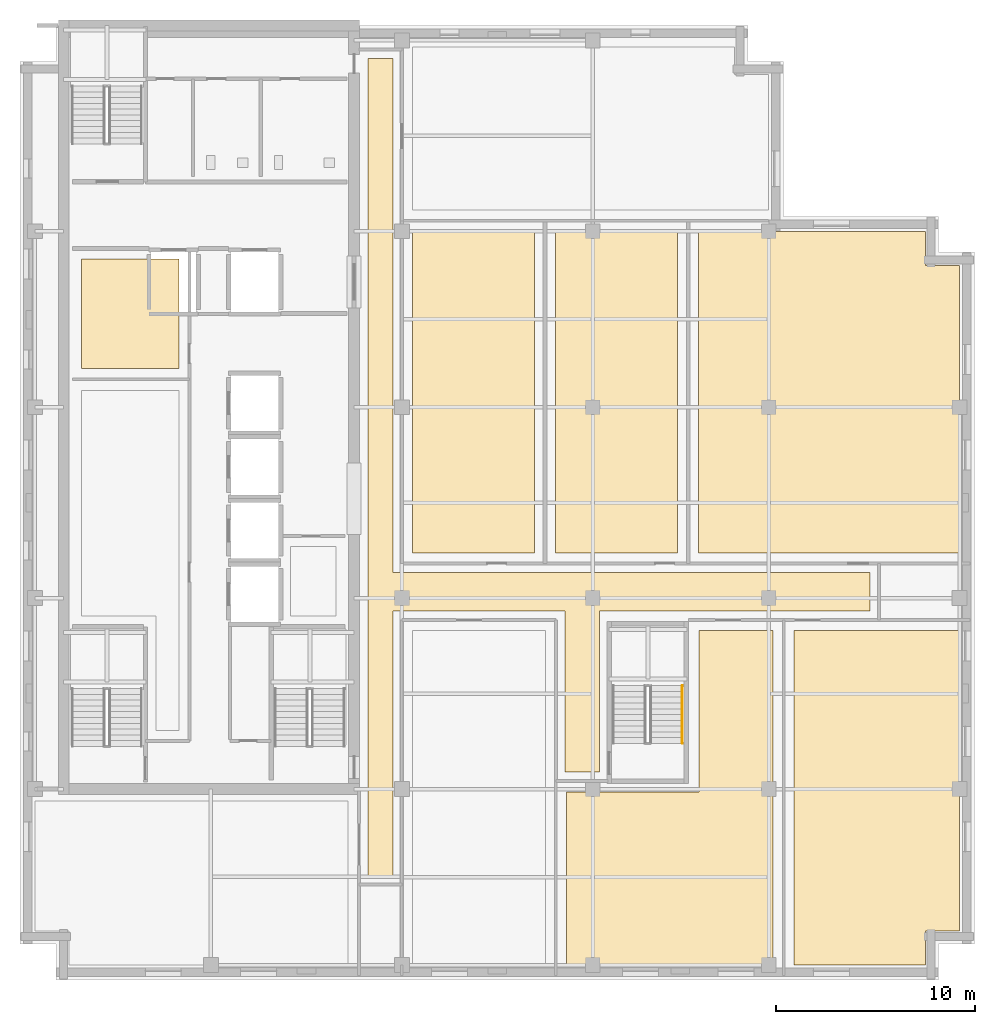
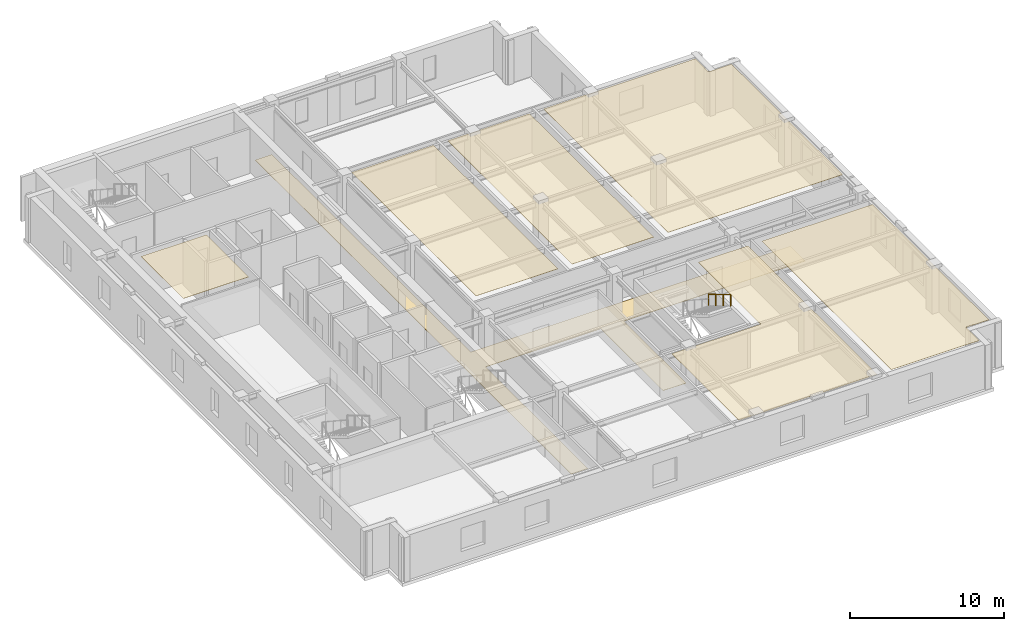
# One storey, part 8 of 10: 7 coverings, 1 railing.
"""IFC4 building model written with IfcOpenShell, lengths in metres."""

from ifc_helpers import new_model, si_unit, direction, frame, origin, origin_2d, place, context, subcontext, project, spatial, polyline, circle, outline, extrude, material, layer, layer_set, type_object, element, save


model = new_model("IFC4")

# Units and contexts
model_context = context("Model", 3, precision=1e-05, world=origin(), true_north=direction((0.0, 1.0)))
body_context = subcontext(model_context, "Body", "Model", "MODEL_VIEW")
ifc_project = project(units=[si_unit("LENGTHUNIT", "METRE"), si_unit("AREAUNIT", "SQUARE_METRE"), si_unit("VOLUMEUNIT", "CUBIC_METRE"), si_unit("PLANEANGLEUNIT", "RADIAN"), si_unit("MASSUNIT", "GRAM", prefix="KILO")], contexts=[model_context])

# Site, building, storey
site_placement = place(None, origin())
site = spatial("IfcSite", under=ifc_project, at=site_placement, CompositionType="ELEMENT")
building_placement = place(site_placement, origin())
building = spatial("IfcBuilding", under=site, at=building_placement, Name="Norrvale University Quadrangle", CompositionType="ELEMENT")
storey_placement = place(building_placement, frame((0.0, 0.0, 265.800048828125)))
storey = spatial("IfcBuildingStorey", under=building, at=storey_placement, Name="L67", CompositionType="ELEMENT", Elevation=265.800048828125)

# Coverings
ifc_material_1 = material(Name="Perforated Acoustic Mineral Ceiling")
ifc_layer_1 = layer(ifc_material_1, 0.02490234375, Name="Perforated Acoustic Mineral Ceiling")
ifc_layer_set_1 = layer_set([ifc_layer_1], Name="Perforated Acoustic Mineral Ceiling")
covering_type_1 = type_object("IfcCoveringType", Name="Covering Acoustic Ceiling 25", PredefinedType="CEILING", material=ifc_layer_set_1)
covering_1_placement = place(storey_placement, frame((0.0, 0.0, 3.514892578125)))
element("IfcCovering", 1, at=covering_1_placement, inside=storey, type_object=covering_type_1, Name="Acoustic Ceiling RM-L67-REC2", PredefinedType="CEILING", context=body_context, shape_type="SweptSolid", body=[
    extrude(outline(polyline([(3.10009765625, 30.75), (3.10009765625, 36.25), (8.0, 36.25), (8.0, 30.75), (3.10009765625, 30.75)])), origin(), (0.0, 0.0, 1.0), 0.025146484375),
])
covering_2_placement = place(storey_placement, frame((0.0, 0.0, 3.514892578125)))
element("IfcCovering", 2, at=covering_2_placement, inside=storey, type_object=covering_type_1, Name="Acoustic Ceiling RM-L67-SE2", PredefinedType="CEILING", context=body_context, shape_type="SweptSolid", body=[
    extrude(outline(polyline([(27.47998046875, 9.449951171875), (34.14990234375, 9.449951171875), (34.14990234375, 17.570068359375), (37.8701171875, 17.570068359375), (37.8701171875, 0.75), (27.47998046875, 0.75), (27.47998046875, 9.449951171875)])), origin(), (0.0, 0.0, 1.0), 0.025146484375),
])
covering_3_placement = place(storey_placement, frame((0.0, 0.0, 3.514892578125)))
element("IfcCovering", 3, at=covering_3_placement, inside=storey, type_object=covering_type_1, Name="Acoustic Ceiling RM-L67-SE3", PredefinedType="CEILING", context=body_context, shape_type="SweptSolid", body=[
    extrude(outline(polyline([(38.929931640625, 0.75), (38.929931640625, 17.570068359375), (47.25, 17.570068359375), (47.25, 2.469970703125), (45.530029296875, 2.469970703125), (45.530029296875, 0.75), (38.929931640625, 0.75)])), origin(), (0.0, 0.0, 1.0), 0.025146484375),
])
covering_4_placement = place(storey_placement, frame((0.0, 0.0, 3.514892578125)))
element("IfcCovering", 4, at=covering_4_placement, inside=storey, type_object=covering_type_1, Name="Acoustic Ceiling RM-L67-ME01", PredefinedType="CEILING", context=body_context, shape_type="SweptSolid", body=[
    extrude(outline(polyline([(19.72998046875, 37.64990234375), (25.8701171875, 37.64990234375), (25.8701171875, 21.47998046875), (19.72998046875, 21.47998046875), (19.72998046875, 37.64990234375)])), origin(), (0.0, 0.0, 1.0), 0.025146484375),
])
covering_5_placement = place(storey_placement, frame((0.0, 0.0, 3.514892578125)))
element("IfcCovering", 5, at=covering_5_placement, inside=storey, type_object=covering_type_1, Name="Acoustic Ceiling RM-L67-ME02", PredefinedType="CEILING", context=body_context, shape_type="SweptSolid", body=[
    extrude(outline(polyline([(26.929931640625, 37.64990234375), (33.070068359375, 37.64990234375), (33.070068359375, 21.47998046875), (26.929931640625, 21.47998046875), (26.929931640625, 37.64990234375)])), origin(), (0.0, 0.0, 1.0), 0.025146484375),
])
covering_6_placement = place(storey_placement, frame((0.0, 0.0, 3.514892578125)))
element("IfcCovering", 6, at=covering_6_placement, inside=storey, type_object=covering_type_1, Name="Acoustic Ceiling RM-L67-ME03", PredefinedType="CEILING", context=body_context, shape_type="SweptSolid", body=[
    extrude(outline(polyline([(47.25, 21.47998046875), (34.1298828125, 21.47998046875), (34.1298828125, 37.64990234375), (45.530029296875, 37.64990234375), (45.530029296875, 35.929931640625), (47.25, 35.929931640625), (47.25, 21.47998046875)])), origin(), (0.0, 0.0, 1.0), 0.025146484375),
])
ifc_material_2 = material(Name="Polished Terrazzo Flooring")
ifc_layer_2 = layer(ifc_material_2, 0.02490234375, Name="Polished Terrazzo Flooring")
ifc_layer_set_2 = layer_set([ifc_layer_2], Name="Polished Terrazzo Flooring")
covering_type_2 = type_object("IfcCoveringType", Name="Covering Terrazzo Floor 30", PredefinedType="FLOORING", material=ifc_layer_set_2)
covering_7_placement = place(storey_placement, origin())
element("IfcCovering", 7, at=covering_7_placement, inside=storey, type_object=covering_type_2, Name="Terrazzo Flooring RM-L67-CORR1", PredefinedType="FLOORING", context=body_context, shape_type="SweptSolid", body=[
    extrude(outline(polyline([(17.5, 5.25), (17.5, 46.35009765625), (18.75, 46.35009765625), (18.75, 20.5), (42.75, 20.5), (42.75, 18.550048828125), (29.1298828125, 18.550048828125), (29.1298828125, 10.449951171875), (27.39990234375, 10.449951171875), (27.39990234375, 18.550048828125), (18.75, 18.550048828125), (18.75, 5.25), (17.5, 5.25)])), origin(), (0.0, 0.0, 1.0), 0.02490234375),
])

# Railing
ifc_material_3 = material(Name="Stainless Steel 316L Handrail", Category="steel")
railing_type = type_object("IfcRailingType", Name="Railing Stair Handrail 920", PredefinedType="HANDRAIL", material=ifc_material_3)
railing_placement = place(storey_placement, frame((33.31005859375, 14.800048828125, 2.07275390625)))
element("IfcRailing", 8, at=railing_placement, inside=storey, type_object=railing_type, Name="Stair Upper Flight Handrail ST-04 L67", PredefinedType="HANDRAIL", context=body_context, shape_type="SweptSolid", body=[
    extrude(circle(Radius=0.02392578125, at=origin_2d()), frame((0.0, 0.0, 0.89599609375), z_axis=(0.0, -0.859160404282, 0.51170636083), x_axis=(1.0, 0.0, 0.0)), (0.0, 0.0, 1.0), 3.37548828125),
    extrude(circle(Radius=0.02099609375, at=origin_2d()), origin(), (0.0, 0.0, 1.0), 0.871826171875),
    extrude(circle(Radius=0.02099609375, at=origin_2d()), frame((0.0, -0.966796875, 0.57568359375)), (0.0, 0.0, 1.0), 0.871826171875),
    extrude(circle(Radius=0.02099609375, at=origin_2d()), frame((0.0, -1.933349609375, 1.151611328125)), (0.0, 0.0, 1.0), 0.871826171875),
    extrude(circle(Radius=0.02099609375, at=origin_2d()), frame((0.0, -2.900146484375, 1.727294921875)), (0.0, 0.0, 1.0), 0.871826171875),
])

save(model, "model.ifc")
